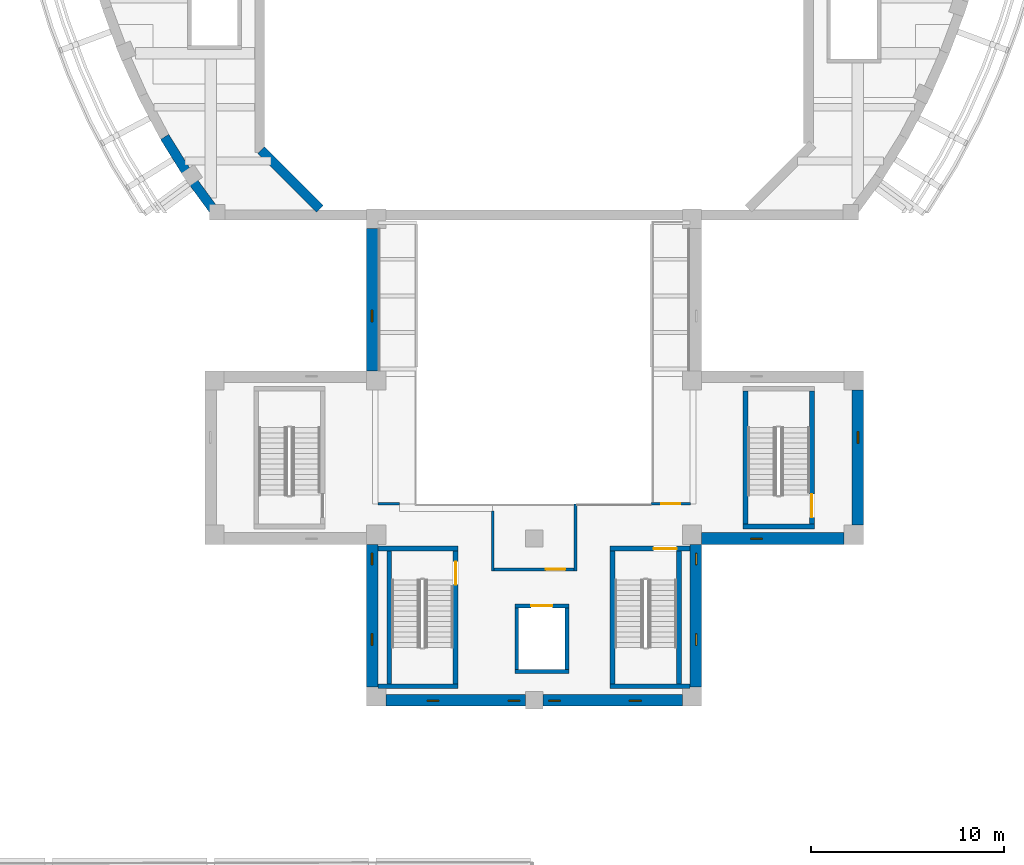
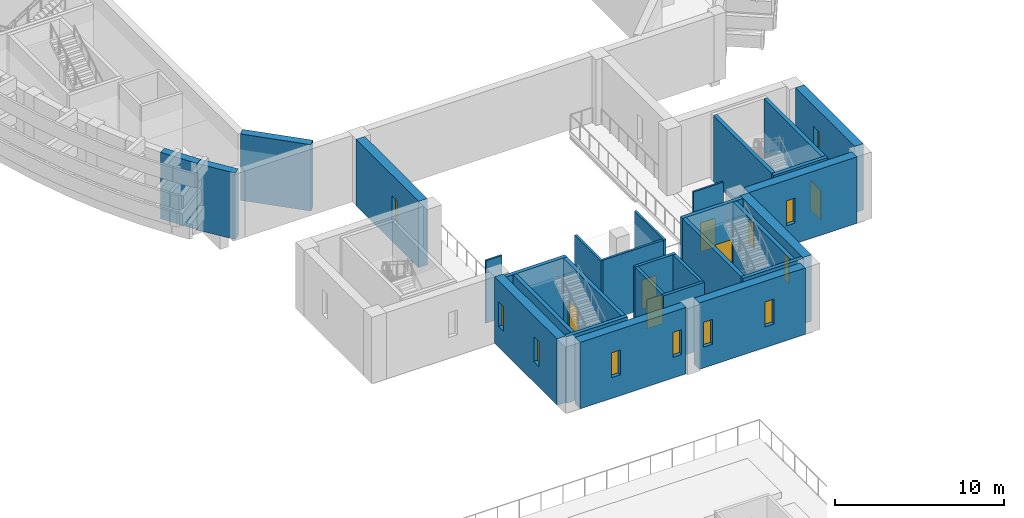
# One storey, part 7 of 37: 30 walls, 11 windows, 6 doors, 17 openings.
"""IFC4 building model written with IfcOpenShell, lengths in metres."""

from ifc_helpers import new_model, si_unit, direction, frame, frame_2d, origin, place, context, subcontext, project, spatial, rectangle, extrude, material, layer, layer_set, type_object, element, fill, save


model = new_model("IFC4")

# Units and contexts
model_context = context("Model", 3, precision=1e-05, world=origin(), true_north=direction((0.0, 1.0)))
body_context = subcontext(model_context, "Body", "Model", "MODEL_VIEW")
ifc_project = project(units=[si_unit("LENGTHUNIT", "METRE"), si_unit("AREAUNIT", "SQUARE_METRE"), si_unit("VOLUMEUNIT", "CUBIC_METRE"), si_unit("PLANEANGLEUNIT", "RADIAN"), si_unit("MASSUNIT", "GRAM", prefix="KILO")], contexts=[model_context])

# Site, building, storey
site_placement = place(None, origin())
site = spatial("IfcSite", under=ifc_project, at=site_placement, CompositionType="ELEMENT")
building_placement = place(site_placement, origin())
building = spatial("IfcBuilding", under=site, at=building_placement, Name="Larchfold Concert Hall", CompositionType="ELEMENT")
storey_placement = place(building_placement, frame((0.0, 0.0, 19.199951171875)))
storey = spatial("IfcBuildingStorey", under=building, at=storey_placement, Name="L04", CompositionType="ELEMENT", Elevation=19.199951171875)

# Wall
ifc_material_1 = material(Name="Plasterboard partition on steel studs", Category="steel")
ifc_layer_1 = layer(ifc_material_1, 0.125)
ifc_layer_set_1 = layer_set([ifc_layer_1], Name="Plasterboard partition on steel studs")
wall_type_1 = type_object("IfcWallType", Name="Corridor partition 125 EI 60", PredefinedType="PARTITIONING", material=ifc_layer_set_1)
wall_1_placement = place(storey_placement, frame((34.47998046875, 44.39990234375, 0.0), z_axis=(0.0, 0.0, 1.0), x_axis=(1.0, 0.0, 0.0)))
element("IfcWall", 1, at=wall_1_placement, inside=storey, type_object=wall_type_1, Name="Partition IW0013", PredefinedType="PARTITIONING", context=body_context, shape_type="SweptSolid", body=[
    extrude(rectangle(XDim=1.1201171875, YDim=0.125, at=frame_2d((0.56005859375, 0.0))), origin(), (0.0, 0.0, 1.0), 4.52001953125),
])

# Wall, opening, door
wall_2_placement = place(storey_placement, frame((48.679931640625, 44.39990234375, 0.0), z_axis=(0.0, 0.0, 1.0), x_axis=(1.0, 0.0, 0.0)))
wall_2 = element("IfcWall", 2, at=wall_2_placement, inside=storey, type_object=wall_type_1, Name="Partition IW0014", PredefinedType="PARTITIONING", context=body_context, shape_type="SweptSolid", body=[
    extrude(rectangle(XDim=2.0400390625, YDim=0.125, at=frame_2d((1.02001953125, 0.0))), origin(), (0.0, 0.0, 1.0), 4.52001953125),
])
opening_1_placement = place(wall_2_placement, frame((0.510009765625, 0.0, 0.0)))
opening_1 = element("IfcOpeningElement", 3, at=opening_1_placement, cuts=wall_2, Name="Opening D-L04-107", PredefinedType="OPENING", context=body_context, shape_type="SweptSolid", body=[
    extrude(rectangle(XDim=1.0, YDim=2.10009765625, at=frame_2d((0.5, 1.050048828125))), frame((0.0, 0.072509765625, 0.0), z_axis=(0.0, -1.0, 0.0), x_axis=(1.0, 0.0, 0.0)), (0.0, 0.0, 1.0), 0.14501953125),
])
ifc_material_2 = material(Name="Timber door leaf", Category="wood")
door_type_1 = type_object("IfcDoorType", Name="Room door 1000 x 2100 FD30S", OperationType="SINGLE_SWING_LEFT", PredefinedType="DOOR", material=ifc_material_2)
door_1_placement = place(opening_1_placement, origin())
door_1 = element("IfcDoor", 4, at=door_1_placement, inside=storey, type_object=door_type_1, Name="Door D-L04-107", OperationType="SINGLE_SWING_LEFT", OverallHeight=2.10009765625, OverallWidth=1.0, PredefinedType="DOOR", context=body_context, shape_type="SweptSolid", body=[
    extrude(rectangle(XDim=1.0, YDim=2.10009765625, at=frame_2d((0.5, 1.050048828125))), frame((0.0, 0.02490234375, 0.0), z_axis=(0.0, -1.0, 0.0), x_axis=(1.0, 0.0, 0.0)), (0.0, 0.0, 1.0), 0.050048828125),
])
fill(opening_1, door_1)

# Walls
ifc_material_3 = material(Name="Plasterboard partition on steel studs", Category="steel")
ifc_layer_2 = layer(ifc_material_3, 0.14990234375)
ifc_layer_set_2 = layer_set([ifc_layer_2], Name="Plasterboard partition on steel studs")
wall_type_2 = type_object("IfcWallType", Name="Shaft and plant partition 150 EI 120", PredefinedType="PARTITIONING", material=ifc_layer_set_2)
wall_3_placement = place(storey_placement, frame((40.449951171875, 40.925048828125, 0.0), z_axis=(0.0, 0.0, 1.0), x_axis=(0.0, 1.0, 0.0)))
element("IfcWall", 5, at=wall_3_placement, inside=storey, type_object=wall_type_2, Name="Partition IW0010", PredefinedType="PARTITIONING", context=body_context, shape_type="SweptSolid", body=[
    extrude(rectangle(XDim=3.093994140625, YDim=0.14990234375, at=frame_2d((1.546875, 0.0))), origin(), (0.0, 0.0, 1.0), 4.52001953125),
])
wall_4_placement = place(storey_placement, frame((44.75, 44.39990234375, 0.0), z_axis=(0.0, 0.0, 1.0), x_axis=(0.0, -1.0, 0.0)))
element("IfcWall", 6, at=wall_4_placement, inside=storey, type_object=wall_type_2, Name="Partition IW0011", PredefinedType="PARTITIONING", context=body_context, shape_type="SweptSolid", body=[
    extrude(rectangle(XDim=3.474853515625, YDim=0.14990234375, at=frame_2d((1.7373046875, 0.0))), origin(), (0.0, 0.0, 1.0), 4.52001953125),
])

# Wall, opening, door
wall_5_placement = place(storey_placement, frame((44.675048828125, 41.0, 0.0), z_axis=(0.0, 0.0, 1.0), x_axis=(-1.0, 0.0, 0.0)))
wall_5 = element("IfcWall", 7, at=wall_5_placement, inside=storey, type_object=wall_type_2, Name="Partition IW0012", PredefinedType="PARTITIONING", context=body_context, shape_type="SweptSolid", body=[
    extrude(rectangle(XDim=4.150146484375, YDim=0.14990234375, at=frame_2d((2.0751953125, 0.0))), origin(), (0.0, 0.0, 1.0), 4.52001953125),
])
opening_2_placement = place(wall_5_placement, frame((0.465087890625, 0.0, 0.0)))
opening_2 = element("IfcOpeningElement", 8, at=opening_2_placement, cuts=wall_5, Name="Opening D-L04-106", PredefinedType="OPENING", context=body_context, shape_type="SweptSolid", body=[
    extrude(rectangle(XDim=1.0, YDim=2.10009765625, at=frame_2d((0.5, 1.050048828125))), frame((0.0, 0.0849609375, 0.0), z_axis=(0.0, -1.0, 0.0), x_axis=(1.0, 0.0, 0.0)), (0.0, 0.0, 1.0), 0.169921875),
])
ifc_material_4 = material(Name="Timber door leaf", Category="wood")
door_type_2 = type_object("IfcDoorType", Name="Store door 1000 x 2100 FD60", OperationType="SINGLE_SWING_LEFT", PredefinedType="DOOR", material=ifc_material_4)
door_2_placement = place(opening_2_placement, origin())
door_2 = element("IfcDoor", 9, at=door_2_placement, inside=storey, type_object=door_type_2, Name="Door D-L04-106", OperationType="SINGLE_SWING_LEFT", OverallHeight=2.10009765625, OverallWidth=1.0, PredefinedType="DOOR", context=body_context, shape_type="SweptSolid", body=[
    extrude(rectangle(XDim=1.0, YDim=2.10009765625, at=frame_2d((0.5, 1.050048828125))), frame((0.0, 0.02490234375, 0.0), z_axis=(0.0, -1.0, 0.0), x_axis=(1.0, 0.0, 0.0)), (0.0, 0.0, 1.0), 0.050048828125),
])
fill(opening_2, door_2)

# Wall
ifc_material_5 = material(Name="Concrete C40/50", Category="concrete")
ifc_layer_3 = layer(ifc_material_5, 0.199951171875)
ifc_layer_set_3 = layer_set([ifc_layer_3], Name="Concrete C40/50")
wall_type_3 = type_object("IfcWallType", Name="Wall RC 200 lift shaft", PredefinedType="SOLIDWALL", material=ifc_layer_set_3)
wall_6_placement = place(storey_placement, frame((41.60009765625, 35.7001953125, 0.0), z_axis=(0.0, 0.0, 1.0), x_axis=(1.0, 0.0, 0.0)))
element("IfcWall", 10, at=wall_6_placement, inside=storey, type_object=wall_type_3, Name="Wall W0102", PredefinedType="SOLIDWALL", context=body_context, shape_type="SweptSolid", body=[
    extrude(rectangle(XDim=2.7998046875, YDim=0.199951171875, at=frame_2d((1.39990234375, 0.0))), origin(), (0.0, 0.0, 1.0), 4.800048828125),
])

# Wall, opening, door
wall_7_placement = place(storey_placement, frame((41.60009765625, 39.099853515625, 0.0), z_axis=(0.0, 0.0, 1.0), x_axis=(1.0, 0.0, 0.0)))
wall_7 = element("IfcWall", 11, at=wall_7_placement, inside=storey, type_object=wall_type_3, Name="Wall W0103", PredefinedType="SOLIDWALL", context=body_context, shape_type="SweptSolid", body=[
    extrude(rectangle(XDim=2.7998046875, YDim=0.199951171875, at=frame_2d((1.39990234375, 0.0))), origin(), (0.0, 0.0, 1.0), 4.800048828125),
])
opening_3_placement = place(wall_7_placement, frame((0.849853515625, 0.0, 0.0)))
opening_3 = element("IfcOpeningElement", 12, at=opening_3_placement, cuts=wall_7, Name="Opening LD-LF05", PredefinedType="OPENING", context=body_context, shape_type="SweptSolid", body=[
    extrude(rectangle(XDim=1.10009765625, YDim=2.10009765625, at=frame_2d((0.550048828125, 1.050048828125))), frame((0.0, 0.10986328125, 0.0), z_axis=(0.0, -1.0, 0.0), x_axis=(1.0, 0.0, 0.0)), (0.0, 0.0, 1.0), 0.219970703125),
])
ifc_material_6 = material(Name="Stainless steel sliding leaves", Category="steel")
door_type_3 = type_object("IfcDoorType", Name="Lift landing door sliding 1100 x 2100", OperationType="SLIDING_TO_LEFT", PredefinedType="DOOR", material=ifc_material_6)
door_3_placement = place(opening_3_placement, origin())
door_3 = element("IfcDoor", 13, at=door_3_placement, inside=storey, type_object=door_type_3, Name="Lift landing door LF05", OperationType="SLIDING_TO_LEFT", OverallHeight=2.10009765625, OverallWidth=1.10009765625, PredefinedType="DOOR", context=body_context, shape_type="SweptSolid", body=[
    extrude(rectangle(XDim=1.10009765625, YDim=2.10009765625, at=frame_2d((0.550048828125, 1.050048828125))), frame((0.0, 0.02490234375, 0.0), z_axis=(0.0, -1.0, 0.0), x_axis=(1.0, 0.0, 0.0)), (0.0, 0.0, 1.0), 0.050048828125),
])
fill(opening_3, door_3)

# Walls
for number, where, z_axis, x_axis, name in (
    (14, (41.7001953125, 35.800048828125, 0.0), (0.0, 0.0, 1.0), (0.0, 1.0, 0.0), "Wall W0104"),
    (15, (44.2998046875, 35.800048828125, 0.0), (0.0, 0.0, 1.0), (0.0, 1.0, 0.0), "Wall W0105"),
):
    element("IfcWall", number, at=place(storey_placement, frame(where, z_axis=z_axis, x_axis=x_axis)), inside=storey, type_object=wall_type_3, Name=name, PredefinedType="SOLIDWALL", context=body_context, shape_type="SweptSolid", body=[
        extrude(rectangle(XDim=3.199951171875, YDim=0.199951171875, at=frame_2d((1.60009765625, 0.0))), origin(), (0.0, 0.0, 1.0), 4.800048828125),
    ])
ifc_material_7 = material(Name="Concrete C40/50", Category="concrete")
ifc_layer_4 = layer(ifc_material_7, 0.25)
ifc_layer_set_4 = layer_set([ifc_layer_4], Name="Concrete C40/50")
wall_type_4 = type_object("IfcWallType", Name="Wall RC 250 stair core", PredefinedType="SOLIDWALL", material=ifc_layer_set_4)
wall_8_placement = place(storey_placement, frame((53.449951171875, 43.22509765625, 0.0), z_axis=(0.0, 0.0, 1.0), x_axis=(1.0, 0.0, 0.0)))
element("IfcWall", 16, at=wall_8_placement, inside=storey, type_object=wall_type_4, Name="Wall W0062", PredefinedType="SOLIDWALL", context=body_context, shape_type="SweptSolid", body=[
    extrude(rectangle(XDim=3.699951171875, YDim=0.25, at=frame_2d((1.85009765625, 0.0))), origin(), (0.0, 0.0, 1.0), 4.800048828125),
])
wall_9_placement = place(storey_placement, frame((53.574951171875, 43.35009765625, 0.0), z_axis=(0.0, 0.0, 1.0), x_axis=(0.0, 1.0, 0.0)))
element("IfcWall", 17, at=wall_9_placement, inside=storey, type_object=wall_type_4, Name="Wall W0064", PredefinedType="SOLIDWALL", context=body_context, shape_type="SweptSolid", body=[
    extrude(rectangle(XDim=6.89990234375, YDim=0.25, at=frame_2d((3.449951171875, 0.0))), origin(), (0.0, 0.0, 1.0), 4.800048828125),
])

# Wall, opening, door
wall_10_placement = place(storey_placement, frame((57.02490234375, 43.35009765625, 0.0), z_axis=(0.0, 0.0, 1.0), x_axis=(0.0, 1.0, 0.0)))
wall_10 = element("IfcWall", 18, at=wall_10_placement, inside=storey, type_object=wall_type_4, Name="Wall W0065", PredefinedType="SOLIDWALL", context=body_context, shape_type="SweptSolid", body=[
    extrude(rectangle(XDim=6.89990234375, YDim=0.25, at=frame_2d((3.449951171875, 0.0))), origin(), (0.0, 0.0, 1.0), 4.800048828125),
])
opening_4_placement = place(wall_10_placement, frame((0.35009765625, 0.0, 0.0)))
opening_4 = element("IfcOpeningElement", 19, at=opening_4_placement, cuts=wall_10, Name="Opening D-L04-128", PredefinedType="OPENING", context=body_context, shape_type="SweptSolid", body=[
    extrude(rectangle(XDim=1.199951171875, YDim=2.10009765625, at=frame_2d((0.60009765625, 1.050048828125))), frame((0.0, 0.135009765625, 0.0), z_axis=(0.0, -1.0, 0.0), x_axis=(1.0, 0.0, 0.0)), (0.0, 0.0, 1.0), 0.27001953125),
])
ifc_material_8 = material(Name="Timber door leaf", Category="wood")
door_type_4 = type_object("IfcDoorType", Name="Stair enclosure door pair 1200 x 2100 FD60", OperationType="SINGLE_SWING_LEFT", PredefinedType="DOOR", material=ifc_material_8)
door_4_placement = place(opening_4_placement, origin())
door_4 = element("IfcDoor", 20, at=door_4_placement, inside=storey, type_object=door_type_4, Name="Door D-L04-128", OperationType="DOUBLE_DOOR_SINGLE_SWING", OverallHeight=2.10009765625, OverallWidth=1.199951171875, PredefinedType="DOOR", context=body_context, shape_type="SweptSolid", body=[
    extrude(rectangle(XDim=1.199951171875, YDim=2.10009765625, at=frame_2d((0.60009765625, 1.050048828125))), frame((0.0, 0.02490234375, 0.0), z_axis=(0.0, -1.0, 0.0), x_axis=(1.0, 0.0, 0.0)), (0.0, 0.0, 1.0), 0.050048828125),
])
fill(opening_4, door_4)

# Walls
for number, where, z_axis, x_axis, name in (
    (21, (34.5, 34.925048828125, 0.0), (0.0, 0.0, 1.0), (1.0, 0.0, 0.0), "Wall W0066"),
    (22, (34.5, 42.074951171875, 0.0), (0.0, 0.0, 1.0), (1.0, 0.0, 0.0), "Wall W0067"),
):
    element("IfcWall", number, at=place(storey_placement, frame(where, z_axis=z_axis, x_axis=x_axis)), inside=storey, type_object=wall_type_4, Name=name, PredefinedType="SOLIDWALL", context=body_context, shape_type="SweptSolid", body=[
        extrude(rectangle(XDim=4.14990234375, YDim=0.25, at=frame_2d((2.074951171875, 0.0))), origin(), (0.0, 0.0, 1.0), 4.800048828125),
    ])
wall_11_placement = place(storey_placement, frame((35.074951171875, 35.050048828125, 0.0), z_axis=(0.0, 0.0, 1.0), x_axis=(0.0, 1.0, 0.0)))
element("IfcWall", 23, at=wall_11_placement, inside=storey, type_object=wall_type_4, Name="Wall W0068", PredefinedType="SOLIDWALL", context=body_context, shape_type="SweptSolid", body=[
    extrude(rectangle(XDim=6.89990234375, YDim=0.25, at=frame_2d((3.449951171875, 0.0))), origin(), (0.0, 0.0, 1.0), 4.800048828125),
])

# Wall, opening, door
wall_12_placement = place(storey_placement, frame((38.52490234375, 35.050048828125, 0.0), z_axis=(0.0, 0.0, 1.0), x_axis=(0.0, 1.0, 0.0)))
wall_12 = element("IfcWall", 24, at=wall_12_placement, inside=storey, type_object=wall_type_4, Name="Wall W0069", PredefinedType="SOLIDWALL", context=body_context, shape_type="SweptSolid", body=[
    extrude(rectangle(XDim=6.89990234375, YDim=0.25, at=frame_2d((3.449951171875, 0.0))), origin(), (0.0, 0.0, 1.0), 4.800048828125),
])
opening_5_placement = place(wall_12_placement, frame((5.14990234375, 0.0, 0.0)))
opening_5 = element("IfcOpeningElement", 25, at=opening_5_placement, cuts=wall_12, Name="Opening D-L04-125", PredefinedType="OPENING", context=body_context, shape_type="SweptSolid", body=[
    extrude(rectangle(XDim=1.199951171875, YDim=2.10009765625, at=frame_2d((0.60009765625, 1.050048828125))), frame((0.0, 0.135009765625, 0.0), z_axis=(0.0, -1.0, 0.0), x_axis=(1.0, 0.0, 0.0)), (0.0, 0.0, 1.0), 0.27001953125),
])
door_5_placement = place(opening_5_placement, origin())
door_5 = element("IfcDoor", 26, at=door_5_placement, inside=storey, type_object=door_type_4, Name="Door D-L04-125", OperationType="DOUBLE_DOOR_SINGLE_SWING", OverallHeight=2.10009765625, OverallWidth=1.199951171875, PredefinedType="DOOR", context=body_context, shape_type="SweptSolid", body=[
    extrude(rectangle(XDim=1.199951171875, YDim=2.10009765625, at=frame_2d((0.60009765625, 1.050048828125))), frame((0.0, 0.02490234375, 0.0), z_axis=(0.0, -1.0, 0.0), x_axis=(1.0, 0.0, 0.0)), (0.0, 0.0, 1.0), 0.050048828125),
])
fill(opening_5, door_5)

# Wall
wall_13_placement = place(storey_placement, frame((46.550048828125, 34.925048828125, 0.0), z_axis=(0.0, 0.0, 1.0), x_axis=(1.0, 0.0, 0.0)))
element("IfcWall", 27, at=wall_13_placement, inside=storey, type_object=wall_type_4, Name="Wall W0070", PredefinedType="SOLIDWALL", context=body_context, shape_type="SweptSolid", body=[
    extrude(rectangle(XDim=4.14990234375, YDim=0.25, at=frame_2d((2.074951171875, 0.0))), origin(), (0.0, 0.0, 1.0), 4.800048828125),
])

# Wall, opening, door
wall_14_placement = place(storey_placement, frame((46.550048828125, 42.074951171875, 0.0), z_axis=(0.0, 0.0, 1.0), x_axis=(1.0, 0.0, 0.0)))
wall_14 = element("IfcWall", 28, at=wall_14_placement, inside=storey, type_object=wall_type_4, Name="Wall W0071", PredefinedType="SOLIDWALL", context=body_context, shape_type="SweptSolid", body=[
    extrude(rectangle(XDim=4.14990234375, YDim=0.25, at=frame_2d((2.074951171875, 0.0))), origin(), (0.0, 0.0, 1.0), 4.800048828125),
])
opening_6_placement = place(wall_14_placement, frame((2.25, 0.0, 0.0)))
opening_6 = element("IfcOpeningElement", 29, at=opening_6_placement, cuts=wall_14, Name="Opening D-L04-126", PredefinedType="OPENING", context=body_context, shape_type="SweptSolid", body=[
    extrude(rectangle(XDim=1.199951171875, YDim=2.10009765625, at=frame_2d((0.60009765625, 1.050048828125))), frame((0.0, 0.135009765625, 0.0), z_axis=(0.0, -1.0, 0.0), x_axis=(1.0, 0.0, 0.0)), (0.0, 0.0, 1.0), 0.27001953125),
])
door_6_placement = place(opening_6_placement, origin())
door_6 = element("IfcDoor", 30, at=door_6_placement, inside=storey, type_object=door_type_4, Name="Door D-L04-126", OperationType="DOUBLE_DOOR_SINGLE_SWING", OverallHeight=2.10009765625, OverallWidth=1.199951171875, PredefinedType="DOOR", context=body_context, shape_type="SweptSolid", body=[
    extrude(rectangle(XDim=1.199951171875, YDim=2.10009765625, at=frame_2d((0.60009765625, 1.050048828125))), frame((0.0, 0.02490234375, 0.0), z_axis=(0.0, -1.0, 0.0), x_axis=(1.0, 0.0, 0.0)), (0.0, 0.0, 1.0), 0.050048828125),
])
fill(opening_6, door_6)

# Walls
for number, where, z_axis, x_axis, name in (
    (31, (46.675048828125, 35.050048828125, 0.0), (0.0, 0.0, 1.0), (0.0, 1.0, 0.0), "Wall W0072"),
    (32, (50.125, 35.050048828125, 0.0), (0.0, 0.0, 1.0), (0.0, 1.0, 0.0), "Wall W0073"),
):
    element("IfcWall", number, at=place(storey_placement, frame(where, z_axis=z_axis, x_axis=x_axis)), inside=storey, type_object=wall_type_4, Name=name, PredefinedType="SOLIDWALL", context=body_context, shape_type="SweptSolid", body=[
        extrude(rectangle(XDim=6.89990234375, YDim=0.25, at=frame_2d((3.449951171875, 0.0))), origin(), (0.0, 0.0, 1.0), 4.800048828125),
    ])
ifc_material_9 = material(Name="Concrete C30/37", Category="concrete")
ifc_layer_5 = layer(ifc_material_9, 0.5)
ifc_layer_set_5 = layer_set([ifc_layer_5], Name="Concrete C30/37")
wall_type_5 = type_object("IfcWallType", Name="Wall RC 500 drum facade", PredefinedType="SOLIDWALL", material=ifc_layer_set_5)
wall_15_placement = place(storey_placement, frame((23.414306640625, 63.45556640625, 0.0), z_axis=(0.0, 0.0, 1.0), x_axis=(0.527702820527, -0.849429063082, 0.0)))
element("IfcWall", 33, at=wall_15_placement, inside=storey, type_object=wall_type_5, Name="Wall DW048", PredefinedType="SOLIDWALL", context=body_context, shape_type="SweptSolid", body=[
    extrude(rectangle(XDim=2.44873046875, YDim=0.5, at=frame_2d((1.224365234375, 0.0))), origin(), (0.0, 0.0, 1.0), 4.800048828125),
])
wall_16_placement = place(storey_placement, frame((24.70654296875, 61.37548828125, 0.0), z_axis=(0.0, 0.0, 1.0), x_axis=(0.590771306399, -0.806839056774, 0.0)))
element("IfcWall", 34, at=wall_16_placement, inside=storey, type_object=wall_type_5, Name="Wall DW049", PredefinedType="SOLIDWALL", context=body_context, shape_type="SweptSolid", body=[
    extrude(rectangle(XDim=2.448486328125, YDim=0.5, at=frame_2d((1.22412109375, 0.0))), origin(), (0.0, 0.0, 1.0), 4.800048828125),
])
ifc_material_10 = material(Name="Concrete C40/50", Category="concrete")
ifc_layer_6 = layer(ifc_material_10, 0.5)
ifc_layer_set_6 = layer_set([ifc_layer_6], Name="Concrete C40/50")
wall_type_6 = type_object("IfcWallType", Name="Wall RC 500 hall shell", PredefinedType="SOLIDWALL", material=ifc_layer_set_6)
wall_17_placement = place(storey_placement, frame((28.4228515625, 62.777099609375, 0.0), z_axis=(0.0, 0.0, 1.0), x_axis=(0.707106781187, -0.707106781187, 0.0)))
element("IfcWall", 35, at=wall_17_placement, inside=storey, type_object=wall_type_6, Name="Wall W0007", PredefinedType="SOLIDWALL", context=body_context, shape_type="SweptSolid", body=[
    extrude(rectangle(XDim=4.319580078125, YDim=0.5, at=frame_2d((2.15966796875, 0.0))), origin(), (0.0, 0.0, 1.0), 4.800048828125),
])

# Wall, opening, window
ifc_material_11 = material(Name="Concrete C40/50", Category="concrete")
ifc_layer_7 = layer(ifc_material_11, 0.60009765625)
ifc_layer_set_7 = layer_set([ifc_layer_7], Name="Concrete C40/50")
wall_type_7 = type_object("IfcWallType", Name="Wall RC 600 stage house", PredefinedType="SOLIDWALL", material=ifc_layer_set_7)
wall_18_placement = place(storey_placement, frame((51.300048828125, 42.60009765625, 0.0), z_axis=(0.0, 0.0, 1.0), x_axis=(1.0, 0.0, 0.0)))
wall_18 = element("IfcWall", 36, at=wall_18_placement, inside=storey, type_object=wall_type_7, Name="Wall W0008", PredefinedType="SOLIDWALL", context=body_context, shape_type="SweptSolid", body=[
    extrude(rectangle(XDim=7.39990234375, YDim=0.60009765625, at=frame_2d((3.699951171875, 0.0))), origin(), (0.0, 0.0, 1.0), 4.800048828125),
])
opening_7_placement = place(wall_18_placement, frame((2.550048828125, 0.0, 1.5)))
opening_7 = element("IfcOpeningElement", 37, at=opening_7_placement, cuts=wall_18, Name="Opening WN-L04-001", PredefinedType="OPENING", context=body_context, shape_type="SweptSolid", body=[
    extrude(rectangle(XDim=0.60009765625, YDim=1.800048828125, at=frame_2d((0.300048828125, 0.89990234375))), frame((0.0, 0.31005859375, 0.0), z_axis=(0.0, -1.0, 0.0), x_axis=(1.0, 0.0, 0.0)), (0.0, 0.0, 1.0), 0.6201171875),
])
ifc_material_12 = material(Name="Anodised graphite aluminium frame with glass", Category="aluminium")
window_type = type_object("IfcWindowType", Name="Gallery slit window 600x1800", PartitioningType="SINGLE_PANEL", PredefinedType="WINDOW", material=ifc_material_12)
window_1_placement = place(opening_7_placement, origin())
window_1 = element("IfcWindow", 38, at=window_1_placement, inside=storey, type_object=window_type, Name="Window WN-L04-001", OverallHeight=1.800048828125, OverallWidth=0.60009765625, PartitioningType="SINGLE_PANEL", PredefinedType="WINDOW", context=body_context, shape_type="SweptSolid", body=[
    extrude(rectangle(XDim=0.60009765625, YDim=1.800048828125, at=frame_2d((0.300048828125, 0.89990234375))), frame((0.0, 0.010009765625, 0.0), z_axis=(0.0, -1.0, 0.0), x_axis=(1.0, 0.0, 0.0)), (0.0, 0.0, 1.0), 0.06005859375),
])
fill(opening_7, window_1)

wall_19_placement = place(storey_placement, frame((59.39990234375, 43.300048828125, 0.0), z_axis=(0.0, 0.0, 1.0), x_axis=(0.0, 1.0, 0.0)))
wall_19 = element("IfcWall", 39, at=wall_19_placement, inside=storey, type_object=wall_type_7, Name="Wall W0009", PredefinedType="SOLIDWALL", context=body_context, shape_type="SweptSolid", body=[
    extrude(rectangle(XDim=7.0, YDim=0.60009765625, at=frame_2d((3.5, 0.0))), origin(), (0.0, 0.0, 1.0), 4.800048828125),
])
opening_8_placement = place(wall_19_placement, frame((4.25, 0.0, 1.5)))
opening_8 = element("IfcOpeningElement", 40, at=opening_8_placement, cuts=wall_19, Name="Opening WN-L04-002", PredefinedType="OPENING", context=body_context, shape_type="SweptSolid", body=[
    extrude(rectangle(XDim=0.60009765625, YDim=1.800048828125, at=frame_2d((0.300048828125, 0.89990234375))), frame((0.0, 0.31005859375, 0.0), z_axis=(0.0, -1.0, 0.0), x_axis=(1.0, 0.0, 0.0)), (0.0, 0.0, 1.0), 0.6201171875),
])
window_2_placement = place(opening_8_placement, origin())
window_2 = element("IfcWindow", 41, at=window_2_placement, inside=storey, type_object=window_type, Name="Window WN-L04-002", OverallHeight=1.800048828125, OverallWidth=0.60009765625, PartitioningType="SINGLE_PANEL", PredefinedType="WINDOW", context=body_context, shape_type="SweptSolid", body=[
    extrude(rectangle(XDim=0.60009765625, YDim=1.800048828125, at=frame_2d((0.300048828125, 0.89990234375))), frame((0.0, 0.010009765625, 0.0), z_axis=(0.0, -1.0, 0.0), x_axis=(1.0, 0.0, 0.0)), (0.0, 0.0, 1.0), 0.06005859375),
])
fill(opening_8, window_2)

wall_20_placement = place(storey_placement, frame((34.199951171875, 58.699951171875, 0.0), z_axis=(0.0, 0.0, 1.0), x_axis=(0.0, -1.0, 0.0)))
wall_20 = element("IfcWall", 42, at=wall_20_placement, inside=storey, type_object=wall_type_7, Name="Wall W0012", PredefinedType="SOLIDWALL", context=body_context, shape_type="SweptSolid", body=[
    extrude(rectangle(XDim=7.39990234375, YDim=0.60009765625, at=frame_2d((3.699951171875, 0.0))), origin(), (0.0, 0.0, 1.0), 4.800048828125),
])
opening_9_placement = place(wall_20_placement, frame((4.25, 0.0, 1.5)))
opening_9 = element("IfcOpeningElement", 43, at=opening_9_placement, cuts=wall_20, Name="Opening WN-L04-005", PredefinedType="OPENING", context=body_context, shape_type="SweptSolid", body=[
    extrude(rectangle(XDim=0.60009765625, YDim=1.800048828125, at=frame_2d((0.300048828125, 0.89990234375))), frame((0.0, 0.31005859375, 0.0), z_axis=(0.0, -1.0, 0.0), x_axis=(1.0, 0.0, 0.0)), (0.0, 0.0, 1.0), 0.6201171875),
])
window_3_placement = place(opening_9_placement, origin())
window_3 = element("IfcWindow", 44, at=window_3_placement, inside=storey, type_object=window_type, Name="Window WN-L04-005", OverallHeight=1.800048828125, OverallWidth=0.60009765625, PartitioningType="SINGLE_PANEL", PredefinedType="WINDOW", context=body_context, shape_type="SweptSolid", body=[
    extrude(rectangle(XDim=0.60009765625, YDim=1.800048828125, at=frame_2d((0.300048828125, 0.89990234375))), frame((0.0, 0.010009765625, 0.0), z_axis=(0.0, -1.0, 0.0), x_axis=(1.0, 0.0, 0.0)), (0.0, 0.0, 1.0), 0.06005859375),
])
fill(opening_9, window_3)

# Wall, openings, windows
wall_21_placement = place(storey_placement, frame((34.199951171875, 42.300048828125, 0.0), z_axis=(0.0, 0.0, 1.0), x_axis=(0.0, -1.0, 0.0)))
wall_21 = element("IfcWall", 45, at=wall_21_placement, inside=storey, type_object=wall_type_7, Name="Wall W0016", PredefinedType="SOLIDWALL", context=body_context, shape_type="SweptSolid", body=[
    extrude(rectangle(XDim=7.400146484375, YDim=0.60009765625, at=frame_2d((3.7001953125, 0.0))), origin(), (0.0, 0.0, 1.0), 4.800048828125),
])
opening_10_placement = place(wall_21_placement, frame((4.650146484375, 0.0, 1.5)))
opening_10 = element("IfcOpeningElement", 46, at=opening_10_placement, cuts=wall_21, Name="Opening WN-L04-009", PredefinedType="OPENING", context=body_context, shape_type="SweptSolid", body=[
    extrude(rectangle(XDim=0.60009765625, YDim=1.800048828125, at=frame_2d((0.300048828125, 0.89990234375))), frame((0.0, 0.31005859375, 0.0), z_axis=(0.0, -1.0, 0.0), x_axis=(1.0, 0.0, 0.0)), (0.0, 0.0, 1.0), 0.6201171875),
])
opening_11_placement = place(wall_21_placement, frame((0.454833984375, 0.0, 1.5)))
opening_11 = element("IfcOpeningElement", 47, at=opening_11_placement, cuts=wall_21, Name="Opening WN-L04-010", PredefinedType="OPENING", context=body_context, shape_type="SweptSolid", body=[
    extrude(rectangle(XDim=0.60009765625, YDim=1.800048828125, at=frame_2d((0.300048828125, 0.89990234375))), frame((0.0, 0.31005859375, 0.0), z_axis=(0.0, -1.0, 0.0), x_axis=(1.0, 0.0, 0.0)), (0.0, 0.0, 1.0), 0.6201171875),
])
window_4_placement = place(opening_10_placement, origin())
window_4 = element("IfcWindow", 48, at=window_4_placement, inside=storey, type_object=window_type, Name="Window WN-L04-009", OverallHeight=1.800048828125, OverallWidth=0.60009765625, PartitioningType="SINGLE_PANEL", PredefinedType="WINDOW", context=body_context, shape_type="SweptSolid", body=[
    extrude(rectangle(XDim=0.60009765625, YDim=1.800048828125, at=frame_2d((0.300048828125, 0.89990234375))), frame((0.0, 0.010009765625, 0.0), z_axis=(0.0, -1.0, 0.0), x_axis=(1.0, 0.0, 0.0)), (0.0, 0.0, 1.0), 0.06005859375),
])
fill(opening_10, window_4)
window_5_placement = place(opening_11_placement, origin())
window_5 = element("IfcWindow", 49, at=window_5_placement, inside=storey, type_object=window_type, Name="Window WN-L04-010", OverallHeight=1.800048828125, OverallWidth=0.60009765625, PartitioningType="SINGLE_PANEL", PredefinedType="WINDOW", context=body_context, shape_type="SweptSolid", body=[
    extrude(rectangle(XDim=0.60009765625, YDim=1.800048828125, at=frame_2d((0.300048828125, 0.89990234375))), frame((0.0, 0.010009765625, 0.0), z_axis=(0.0, -1.0, 0.0), x_axis=(1.0, 0.0, 0.0)), (0.0, 0.0, 1.0), 0.06005859375),
])
fill(opening_11, window_5)

wall_22_placement = place(storey_placement, frame((34.89990234375, 34.199951171875, 0.0), z_axis=(0.0, 0.0, 1.0), x_axis=(1.0, 0.0, 0.0)))
wall_22 = element("IfcWall", 50, at=wall_22_placement, inside=storey, type_object=wall_type_7, Name="Wall W0017", PredefinedType="SOLIDWALL", context=body_context, shape_type="SweptSolid", body=[
    extrude(rectangle(XDim=7.250244140625, YDim=0.60009765625, at=frame_2d((3.625, 0.0))), origin(), (0.0, 0.0, 1.0), 4.800048828125),
])
opening_12_placement = place(wall_22_placement, frame((2.150146484375, 0.0, 1.5)))
opening_12 = element("IfcOpeningElement", 51, at=opening_12_placement, cuts=wall_22, Name="Opening WN-L04-011", PredefinedType="OPENING", context=body_context, shape_type="SweptSolid", body=[
    extrude(rectangle(XDim=0.60009765625, YDim=1.800048828125, at=frame_2d((0.300048828125, 0.89990234375))), frame((0.0, 0.31005859375, 0.0), z_axis=(0.0, -1.0, 0.0), x_axis=(1.0, 0.0, 0.0)), (0.0, 0.0, 1.0), 0.6201171875),
])
opening_13_placement = place(wall_22_placement, frame((6.35009765625, 0.0, 1.5)))
opening_13 = element("IfcOpeningElement", 52, at=opening_13_placement, cuts=wall_22, Name="Opening WN-L04-012", PredefinedType="OPENING", context=body_context, shape_type="SweptSolid", body=[
    extrude(rectangle(XDim=0.60009765625, YDim=1.800048828125, at=frame_2d((0.300048828125, 0.89990234375))), frame((0.0, 0.31005859375, 0.0), z_axis=(0.0, -1.0, 0.0), x_axis=(1.0, 0.0, 0.0)), (0.0, 0.0, 1.0), 0.6201171875),
])
window_6_placement = place(opening_12_placement, origin())
window_6 = element("IfcWindow", 53, at=window_6_placement, inside=storey, type_object=window_type, Name="Window WN-L04-011", OverallHeight=1.800048828125, OverallWidth=0.60009765625, PartitioningType="SINGLE_PANEL", PredefinedType="WINDOW", context=body_context, shape_type="SweptSolid", body=[
    extrude(rectangle(XDim=0.60009765625, YDim=1.800048828125, at=frame_2d((0.300048828125, 0.89990234375))), frame((0.0, 0.010009765625, 0.0), z_axis=(0.0, -1.0, 0.0), x_axis=(1.0, 0.0, 0.0)), (0.0, 0.0, 1.0), 0.06005859375),
])
fill(opening_12, window_6)
window_7_placement = place(opening_13_placement, origin())
window_7 = element("IfcWindow", 54, at=window_7_placement, inside=storey, type_object=window_type, Name="Window WN-L04-012", OverallHeight=1.800048828125, OverallWidth=0.60009765625, PartitioningType="SINGLE_PANEL", PredefinedType="WINDOW", context=body_context, shape_type="SweptSolid", body=[
    extrude(rectangle(XDim=0.60009765625, YDim=1.800048828125, at=frame_2d((0.300048828125, 0.89990234375))), frame((0.0, 0.010009765625, 0.0), z_axis=(0.0, -1.0, 0.0), x_axis=(1.0, 0.0, 0.0)), (0.0, 0.0, 1.0), 0.06005859375),
])
fill(opening_13, window_7)

wall_23_placement = place(storey_placement, frame((43.050048828125, 34.199951171875, 0.0), z_axis=(0.0, 0.0, 1.0), x_axis=(1.0, 0.0, 0.0)))
wall_23 = element("IfcWall", 55, at=wall_23_placement, inside=storey, type_object=wall_type_7, Name="Wall W0018", PredefinedType="SOLIDWALL", context=body_context, shape_type="SweptSolid", body=[
    extrude(rectangle(XDim=7.25, YDim=0.60009765625, at=frame_2d((3.625, 0.0))), origin(), (0.0, 0.0, 1.0), 4.800048828125),
])
opening_14_placement = place(wall_23_placement, frame((0.300048828125, 0.0, 1.5)))
opening_14 = element("IfcOpeningElement", 56, at=opening_14_placement, cuts=wall_23, Name="Opening WN-L04-013", PredefinedType="OPENING", context=body_context, shape_type="SweptSolid", body=[
    extrude(rectangle(XDim=0.60009765625, YDim=1.800048828125, at=frame_2d((0.300048828125, 0.89990234375))), frame((0.0, 0.31005859375, 0.0), z_axis=(0.0, -1.0, 0.0), x_axis=(1.0, 0.0, 0.0)), (0.0, 0.0, 1.0), 0.6201171875),
])
opening_15_placement = place(wall_23_placement, frame((4.5, 0.0, 1.5)))
opening_15 = element("IfcOpeningElement", 57, at=opening_15_placement, cuts=wall_23, Name="Opening WN-L04-014", PredefinedType="OPENING", context=body_context, shape_type="SweptSolid", body=[
    extrude(rectangle(XDim=0.60009765625, YDim=1.800048828125, at=frame_2d((0.300048828125, 0.89990234375))), frame((0.0, 0.31005859375, 0.0), z_axis=(0.0, -1.0, 0.0), x_axis=(1.0, 0.0, 0.0)), (0.0, 0.0, 1.0), 0.6201171875),
])
window_8_placement = place(opening_14_placement, origin())
window_8 = element("IfcWindow", 58, at=window_8_placement, inside=storey, type_object=window_type, Name="Window WN-L04-013", OverallHeight=1.800048828125, OverallWidth=0.60009765625, PartitioningType="SINGLE_PANEL", PredefinedType="WINDOW", context=body_context, shape_type="SweptSolid", body=[
    extrude(rectangle(XDim=0.60009765625, YDim=1.800048828125, at=frame_2d((0.300048828125, 0.89990234375))), frame((0.0, 0.010009765625, 0.0), z_axis=(0.0, -1.0, 0.0), x_axis=(1.0, 0.0, 0.0)), (0.0, 0.0, 1.0), 0.06005859375),
])
fill(opening_14, window_8)
window_9_placement = place(opening_15_placement, origin())
window_9 = element("IfcWindow", 59, at=window_9_placement, inside=storey, type_object=window_type, Name="Window WN-L04-014", OverallHeight=1.800048828125, OverallWidth=0.60009765625, PartitioningType="SINGLE_PANEL", PredefinedType="WINDOW", context=body_context, shape_type="SweptSolid", body=[
    extrude(rectangle(XDim=0.60009765625, YDim=1.800048828125, at=frame_2d((0.300048828125, 0.89990234375))), frame((0.0, 0.010009765625, 0.0), z_axis=(0.0, -1.0, 0.0), x_axis=(1.0, 0.0, 0.0)), (0.0, 0.0, 1.0), 0.06005859375),
])
fill(opening_15, window_9)

wall_24_placement = place(storey_placement, frame((51.0, 34.89990234375, 0.0), z_axis=(0.0, 0.0, 1.0), x_axis=(0.0, 1.0, 0.0)))
wall_24 = element("IfcWall", 60, at=wall_24_placement, inside=storey, type_object=wall_type_7, Name="Wall W0019", PredefinedType="SOLIDWALL", context=body_context, shape_type="SweptSolid", body=[
    extrude(rectangle(XDim=7.400146484375, YDim=0.60009765625, at=frame_2d((3.7001953125, 0.0))), origin(), (0.0, 0.0, 1.0), 4.800048828125),
])
opening_16_placement = place(wall_24_placement, frame((2.150146484375, 0.0, 1.5)))
opening_16 = element("IfcOpeningElement", 61, at=opening_16_placement, cuts=wall_24, Name="Opening WN-L04-015", PredefinedType="OPENING", context=body_context, shape_type="SweptSolid", body=[
    extrude(rectangle(XDim=0.60009765625, YDim=1.800048828125, at=frame_2d((0.300048828125, 0.89990234375))), frame((0.0, 0.31005859375, 0.0), z_axis=(0.0, -1.0, 0.0), x_axis=(1.0, 0.0, 0.0)), (0.0, 0.0, 1.0), 0.6201171875),
])
opening_17_placement = place(wall_24_placement, frame((6.34521484375, 0.0, 1.5)))
opening_17 = element("IfcOpeningElement", 62, at=opening_17_placement, cuts=wall_24, Name="Opening WN-L04-016", PredefinedType="OPENING", context=body_context, shape_type="SweptSolid", body=[
    extrude(rectangle(XDim=0.60009765625, YDim=1.800048828125, at=frame_2d((0.300048828125, 0.89990234375))), frame((0.0, 0.31005859375, 0.0), z_axis=(0.0, -1.0, 0.0), x_axis=(1.0, 0.0, 0.0)), (0.0, 0.0, 1.0), 0.6201171875),
])
window_10_placement = place(opening_16_placement, origin())
window_10 = element("IfcWindow", 63, at=window_10_placement, inside=storey, type_object=window_type, Name="Window WN-L04-015", OverallHeight=1.800048828125, OverallWidth=0.60009765625, PartitioningType="SINGLE_PANEL", PredefinedType="WINDOW", context=body_context, shape_type="SweptSolid", body=[
    extrude(rectangle(XDim=0.60009765625, YDim=1.800048828125, at=frame_2d((0.300048828125, 0.89990234375))), frame((0.0, 0.010009765625, 0.0), z_axis=(0.0, -1.0, 0.0), x_axis=(1.0, 0.0, 0.0)), (0.0, 0.0, 1.0), 0.06005859375),
])
fill(opening_16, window_10)
window_11_placement = place(opening_17_placement, origin())
window_11 = element("IfcWindow", 64, at=window_11_placement, inside=storey, type_object=window_type, Name="Window WN-L04-016", OverallHeight=1.800048828125, OverallWidth=0.60009765625, PartitioningType="SINGLE_PANEL", PredefinedType="WINDOW", context=body_context, shape_type="SweptSolid", body=[
    extrude(rectangle(XDim=0.60009765625, YDim=1.800048828125, at=frame_2d((0.300048828125, 0.89990234375))), frame((0.0, 0.010009765625, 0.0), z_axis=(0.0, -1.0, 0.0), x_axis=(1.0, 0.0, 0.0)), (0.0, 0.0, 1.0), 0.06005859375),
])
fill(opening_17, window_11)

save(model, "model.ifc")
